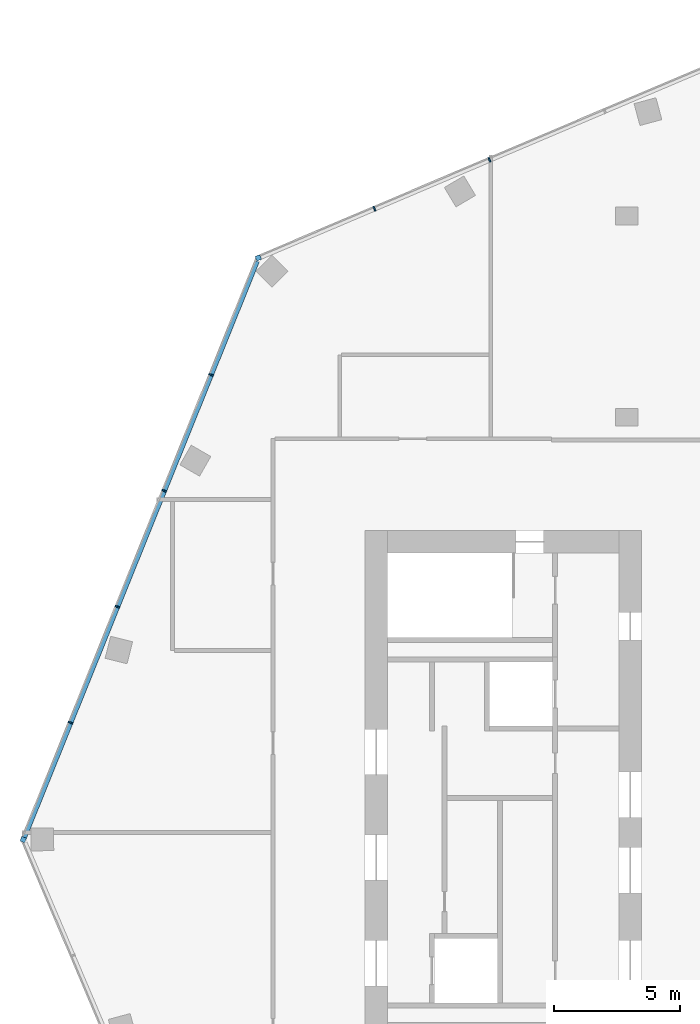
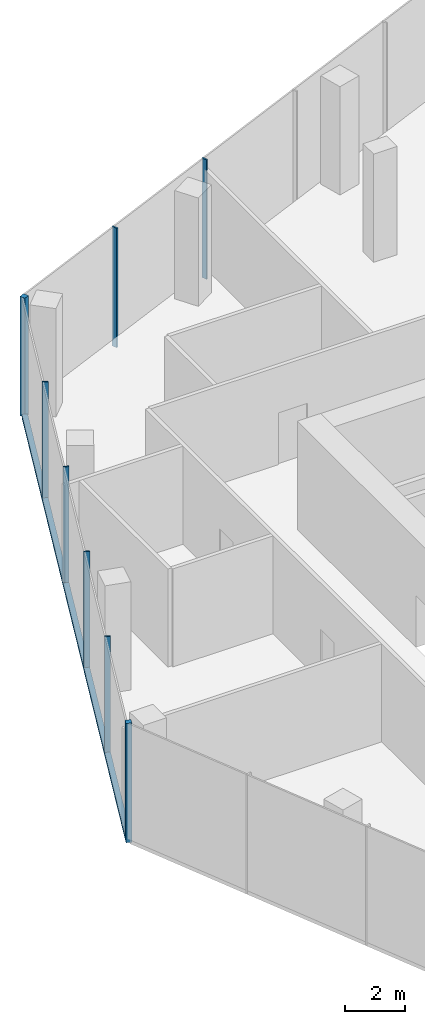
# One storey, part 6 of 15: 9 members, 2 elements without a shape of their own.
"""IFC4 building model written with IfcOpenShell, lengths in metres."""

import ifcopenshell
import ifcopenshell.guid

model = None  # the IFC model being written
_history = None  # IfcOwnerHistory: only IFC2X3 demands one
_inside = {}  # id of a spatial element -> (the spatial element, [elements in it])
_under = {}  # id of a project, library or spatial element -> (it, [spatial elements below it])
_declared = {}  # id of a project -> (the project, [libraries it declares])
_typed = {}  # id of a type object -> (the type object, [elements of that type])
_made_of = {}  # id of a material, layer set ... -> (it, [elements and type objects made of it])


def new_model(schema):
    """Start an empty IFC model of exactly this schema.

    Asked for "IFC4X3", IfcOpenShell would pick the latest addendum, in which some entities
    have other attributes; the version numbers below select the first issue.
    IFC2X3 requires an IfcOwnerHistory on every rooted entity: one is made here for all.
    """
    global model, _history
    if schema == "IFC4X3":
        model = ifcopenshell.file(schema_version=(4, 3, 0, 0))
    else:
        model = ifcopenshell.file(schema=schema)
    _inside.clear()
    _under.clear()
    _declared.clear()
    _typed.clear()
    _made_of.clear()
    _history = None
    if model.schema == "IFC2X3":
        org = make("IfcOrganization", Name="unknown")
        user = make(
            "IfcPersonAndOrganization",
            ThePerson=make("IfcPerson", FamilyName="unknown"),
            TheOrganization=org,
        )
        app = make(
            "IfcApplication",
            ApplicationDeveloper=org,
            Version="unknown",
            ApplicationFullName="unknown",
            ApplicationIdentifier="unknown",
        )
        _history = make(
            "IfcOwnerHistory",
            OwningUser=user,
            OwningApplication=app,
            ChangeAction="ADDED",
            CreationDate=0,
        )
    return model


def make(cls, **values):
    """One entity of the class cls with the attributes given. An attribute that is None is left unset."""
    return model.create_entity(
        cls, **{name: value for name, value in values.items() if value is not None}
    )


def rooted(cls, **values):
    """An entity with a GlobalId (a new one), such as an element, a storey or a relation."""
    return make(cls, GlobalId=ifcopenshell.guid.new(), OwnerHistory=_history, **values)


def si_unit(unit_type, name, prefix=None):
    """IfcSIUnit, for example si_unit("LENGTHUNIT", "METRE", prefix="MILLI")."""
    return make("IfcSIUnit", UnitType=unit_type, Prefix=prefix, Name=name)


def assignment(units):
    """IfcUnitAssignment: the units of a project."""
    return None if units is None else make("IfcUnitAssignment", Units=units)


def point(xyz):
    """IfcCartesianPoint."""
    return None if xyz is None else make("IfcCartesianPoint", Coordinates=xyz)


def direction(xyz):
    """IfcDirection."""
    return None if xyz is None else make("IfcDirection", DirectionRatios=xyz)


def frame(location, z_axis=None, x_axis=None):
    """IfcAxis2Placement3D, a coordinate frame: its origin and axes. An axis left out is left unset."""
    return make(
        "IfcAxis2Placement3D",
        Location=point(location),
        Axis=direction(z_axis),
        RefDirection=direction(x_axis),
    )


def frame_2d(location, x_axis=None):
    """IfcAxis2Placement2D, a coordinate frame in the plane: its origin and x axis."""
    return make(
        "IfcAxis2Placement2D", Location=point(location), RefDirection=direction(x_axis)
    )


def origin():
    """The frame at (0, 0, 0) with its axes left unset."""
    return frame((0.0, 0.0, 0.0))


def origin_2d():
    """The frame at (0, 0) in the plane with its x axis left unset."""
    return frame_2d((0.0, 0.0))


def place(relative_to, where):
    """IfcLocalPlacement: puts the frame where relative to a parent placement (None: the world)."""
    return make(
        "IfcLocalPlacement", PlacementRelTo=relative_to, RelativePlacement=where
    )


def context(
    kind, dimensions, precision=None, world=None, true_north=None, identifier=None
):
    """IfcGeometricRepresentationContext, for example the 3D "Model" context."""
    return make(
        "IfcGeometricRepresentationContext",
        ContextIdentifier=identifier,
        ContextType=kind,
        CoordinateSpaceDimension=dimensions,
        Precision=precision,
        WorldCoordinateSystem=world,
        TrueNorth=true_north,
    )


def subcontext(parent, identifier, kind, view, scale=None):
    """IfcGeometricRepresentationSubContext, for example "Body" below "Model"."""
    return make(
        "IfcGeometricRepresentationSubContext",
        ContextIdentifier=identifier,
        ContextType=kind,
        ParentContext=parent,
        TargetScale=scale,
        TargetView=view,
    )


def project(units=None, contexts=None):
    """IfcProject with its units and contexts."""
    return rooted(
        "IfcProject",
        Name="project",
        RepresentationContexts=contexts,
        UnitsInContext=assignment(units),
    )


def spatial(cls, under=None, at=None, **own):
    """A site, building, storey or space (cls), placed at a placement, below another one or the project."""
    s = rooted(cls, ObjectPlacement=at, **own)
    if under is not None:
        _under.setdefault(under.id(), (under, []))[1].append(s)
    return s


def profile(cls, at=None, kind="AREA", **sizes):
    """A parametric profile (cls). Its sizes go by their IFC names, for example OverallWidth=200.0."""
    return make(cls, ProfileType=kind, Position=at, **sizes)


def rectangle(**sizes):
    """IfcRectangleProfileDef."""
    return profile("IfcRectangleProfileDef", **sizes)


def extrude(swept, where, along, depth):
    """IfcExtrudedAreaSolid: the profile swept, set in the frame where, extruded along a direction by depth."""
    return make(
        "IfcExtrudedAreaSolid",
        SweptArea=swept,
        Position=where,
        ExtrudedDirection=direction(along),
        Depth=depth,
    )


def shape(context_of_items, identifier, shape_type, items):
    """IfcShapeRepresentation: the items that make up one representation, for example the "Body"."""
    return make(
        "IfcShapeRepresentation",
        ContextOfItems=context_of_items,
        RepresentationIdentifier=identifier,
        RepresentationType=shape_type,
        Items=items,
    )


def material(Name=None, Category=None):
    """IfcMaterial."""
    return make("IfcMaterial", Name=Name, Category=Category)


def material_profile(
    of_material, cross_section, Name=None, Category=None, Priority=None
):
    """IfcMaterialProfile: a cross section and its material."""
    return make(
        "IfcMaterialProfile",
        Name=Name,
        Material=of_material,
        Profile=cross_section,
        Priority=Priority,
        Category=Category,
    )


def profile_set(profiles, Name=None, composite=None):
    """IfcMaterialProfileSet."""
    return make(
        "IfcMaterialProfileSet",
        Name=Name,
        MaterialProfiles=profiles,
        CompositeProfile=composite,
    )


def made_of(thing, what):
    """Note that an element or type object is made of a material, layer set ...; save() writes the relation."""
    if what is not None:
        _made_of.setdefault(what.id(), (what, []))[1].append(thing)
    return thing


def type_object(cls, material=None, **own):
    """A type object (cls), such as IfcWallType, which elements share."""
    return made_of(rooted(cls, **own), material)


def element(
    cls,
    number,
    at=None,
    inside=None,
    cuts=None,
    type_object=None,
    material=None,
    context=None,
    identifier="Body",
    shape_type=None,
    held_by="IfcProductDefinitionShape",
    body=None,
    shapes=None,
    **own,
):
    """One element of the class cls, such as IfcWall. Its Tag is "e" and its number.

    at: its placement. inside: the storey or other place that contains it. cuts: it is an
    opening in that element (IfcRelVoidsElement). A single representation is given by context,
    identifier, shape_type and body (its items); several are given by shapes. held_by: the class
    of the entity that holds the representations. save() writes the other relations.
    """
    e = rooted(cls, Tag="e%d" % number, ObjectPlacement=at, **own)
    if body is not None:
        shapes = [shape(context, identifier, shape_type, body)]
    if shapes is not None:
        e.Representation = make(held_by, Representations=shapes)
    if inside is not None:
        _inside.setdefault(inside.id(), (inside, []))[1].append(e)
    if cuts is not None:
        rooted(
            "IfcRelVoidsElement", RelatingBuildingElement=cuts, RelatedOpeningElement=e
        )
    if type_object is not None:
        _typed.setdefault(type_object.id(), (type_object, []))[1].append(e)
    return made_of(e, material)


def aggregate(whole, parts):
    """IfcRelAggregates: a whole, such as a stair, and the parts it consists of."""
    return rooted("IfcRelAggregates", RelatingObject=whole, RelatedObjects=parts)


def save(model, path):
    """Write the relations noted so far, then the file.

    IfcRelAggregates (storeys below a building ...), IfcRelContainedInSpatialStructure (elements
    in a storey), IfcRelDefinesByType, IfcRelAssociatesMaterial and IfcRelDeclares: one each for
    every whole, place, type object, material and project.
    """
    for whole, parts in _under.values():
        aggregate(whole, parts)
    for where, things in _inside.values():
        rooted(
            "IfcRelContainedInSpatialStructure",
            RelatedElements=things,
            RelatingStructure=where,
        )
    for kind, things in _typed.values():
        rooted("IfcRelDefinesByType", RelatedObjects=things, RelatingType=kind)
    for what, things in _made_of.values():
        rooted("IfcRelAssociatesMaterial", RelatedObjects=things, RelatingMaterial=what)
    for by, libraries in _declared.values():
        rooted("IfcRelDeclares", RelatingContext=by, RelatedDefinitions=libraries)
    model.write(path)


model = new_model("IFC4")

# Units and contexts
model_context = context("Model", 3, precision=1e-05, world=origin(), true_north=direction((0.0, 1.0)))
body_context = subcontext(model_context, "Body", "Model", "MODEL_VIEW")
ifc_project = project(units=[si_unit("LENGTHUNIT", "METRE"), si_unit("AREAUNIT", "SQUARE_METRE"), si_unit("VOLUMEUNIT", "CUBIC_METRE"), si_unit("PLANEANGLEUNIT", "RADIAN"), si_unit("MASSUNIT", "GRAM", prefix="KILO")], contexts=[model_context])

# Site, building, storey
site_placement = place(None, origin())
site = spatial("IfcSite", under=ifc_project, at=site_placement, CompositionType="ELEMENT")
building_placement = place(site_placement, origin())
building = spatial("IfcBuilding", under=site, at=building_placement, Name="Orlundy Tower", CompositionType="ELEMENT")
storey_placement = place(building_placement, frame((0.0, 0.0, 299.89990234375)))
storey = spatial("IfcBuildingStorey", under=building, at=storey_placement, Name="L80", CompositionType="ELEMENT", Elevation=299.89990234375)

# Curtain wall, member
ifc_material_1 = material(Name="Aluminium bronze anodised", Category="aluminium")
curtain_wall_type = type_object("IfcCurtainWallType", Name="CW4 wall", PredefinedType="NOTDEFINED", material=ifc_material_1)
curtain_wall_1_placement = place(storey_placement, origin())
curtain_wall_1 = element("IfcCurtainWall", 1, at=curtain_wall_1_placement, inside=storey, type_object=curtain_wall_type, Name="CW4 run 05", PredefinedType="NOTDEFINED")
ifc_material_2 = material(Name="Aluminium bronze anodised", Category="aluminium")
ifc_material_profile_1 = material_profile(ifc_material_2, rectangle(XDim=0.199951171875, YDim=0.199951171875, at=origin_2d()), Name="CW4 corner post 200x200")
ifc_profile_set_1 = profile_set([ifc_material_profile_1], Name="Aluminium bronze anodised")
member_type_1 = type_object("IfcMemberType", Name="CW4 corner post 200x200", PredefinedType="MULLION", material=ifc_profile_set_1)
member_1_placement = place(storey_placement, frame((-32.579345703125, -0.283935546875, -0.449951171875), z_axis=(0.0, 0.0, 1.0), x_axis=(-0.927183523653, 0.374607412456, 0.0)))
member_1 = element("IfcMember", 2, at=member_1_placement, type_object=member_type_1, Name="CW4 mullion 26", PredefinedType="MULLION", context=body_context, shape_type="SweptSolid", body=[
    extrude(rectangle(XDim=0.199951171875, YDim=0.199951171875, at=origin_2d()), origin(), (0.0, 0.0, 1.0), 4.85009765625),
])

curtain_wall_2_placement = place(storey_placement, origin())
curtain_wall_2 = element("IfcCurtainWall", 3, at=curtain_wall_2_placement, inside=storey, type_object=curtain_wall_type, Name="CW4 run 06", PredefinedType="NOTDEFINED")
member_2_placement = place(storey_placement, frame((-23.23828125, 22.8359375, -0.449951171875), z_axis=(0.0, 0.0, 1.0), x_axis=(-0.390726531244, 0.920506804854, 0.0)))
member_2 = element("IfcMember", 4, at=member_2_placement, type_object=member_type_1, Name="CW4 mullion 31", PredefinedType="MULLION", context=body_context, shape_type="SweptSolid", body=[
    extrude(rectangle(XDim=0.199951171875, YDim=0.199951171875, at=origin_2d()), origin(), (0.0, 0.0, 1.0), 4.85009765625),
])

# Member
ifc_material_3 = material(Name="Aluminium bronze anodised", Category="aluminium")
ifc_material_profile_2 = material_profile(ifc_material_3, rectangle(XDim=0.199951171875, YDim=0.06005859375, at=origin_2d()), Name="CW4 mullion 60x200")
ifc_profile_set_2 = profile_set([ifc_material_profile_2], Name="Aluminium bronze anodised")
member_type_2 = type_object("IfcMemberType", Name="CW4 mullion 60x200", PredefinedType="MULLION", material=ifc_profile_set_2)
member_3_placement = place(storey_placement, frame((-30.70166015625, 4.363037109375, -0.449951171875), z_axis=(0.0, 0.0, 1.0), x_axis=(-0.927183523653, 0.374607412456, 0.0)))
member_3 = element("IfcMember", 5, at=member_3_placement, type_object=member_type_2, Name="CW4 mullion 27", PredefinedType="MULLION", context=body_context, shape_type="SweptSolid", body=[
    extrude(rectangle(XDim=0.199951171875, YDim=0.06005859375, at=origin_2d()), origin(), (0.0, 0.0, 1.0), 4.85009765625),
])

member_4_placement = place(storey_placement, frame((-28.839599609375, 8.9716796875, -0.449951171875), z_axis=(0.0, 0.0, 1.0), x_axis=(-0.927183523653, 0.374607412456, 0.0)))
member_4 = element("IfcMember", 6, at=member_4_placement, type_object=member_type_2, Name="CW4 mullion 28", PredefinedType="MULLION", context=body_context, shape_type="SweptSolid", body=[
    extrude(rectangle(XDim=0.199951171875, YDim=0.06005859375, at=origin_2d()), origin(), (0.0, 0.0, 1.0), 4.85009765625),
])

member_5_placement = place(storey_placement, frame((-26.977783203125, 13.580322265625, -0.449951171875), z_axis=(0.0, 0.0, 1.0), x_axis=(-0.927183523653, 0.374607412456, 0.0)))
member_5 = element("IfcMember", 7, at=member_5_placement, type_object=member_type_2, Name="CW4 mullion 29", PredefinedType="MULLION", context=body_context, shape_type="SweptSolid", body=[
    extrude(rectangle(XDim=0.199951171875, YDim=0.06005859375, at=origin_2d()), origin(), (0.0, 0.0, 1.0), 4.85009765625),
])

member_6_placement = place(storey_placement, frame((-25.11572265625, 18.18896484375, -0.449951171875), z_axis=(0.0, 0.0, 1.0), x_axis=(-0.927183523653, 0.374607412456, 0.0)))
member_6 = element("IfcMember", 8, at=member_6_placement, type_object=member_type_2, Name="CW4 mullion 30", PredefinedType="MULLION", context=body_context, shape_type="SweptSolid", body=[
    extrude(rectangle(XDim=0.199951171875, YDim=0.06005859375, at=origin_2d()), origin(), (0.0, 0.0, 1.0), 4.85009765625),
])

member_7_placement = place(storey_placement, frame((-18.62451171875, 24.794189453125, -0.449951171875), z_axis=(0.0, 0.0, 1.0), x_axis=(-0.390726531244, 0.920506804854, 0.0)))
member_7 = element("IfcMember", 9, at=member_7_placement, type_object=member_type_2, Name="CW4 mullion 32", PredefinedType="MULLION", context=body_context, shape_type="SweptSolid", body=[
    extrude(rectangle(XDim=0.199951171875, YDim=0.06005859375, at=origin_2d()), origin(), (0.0, 0.0, 1.0), 4.85009765625),
])

member_8_placement = place(storey_placement, frame((-14.048828125, 26.736572265625, -0.449951171875), z_axis=(0.0, 0.0, 1.0), x_axis=(-0.390726531244, 0.920506804854, 0.0)))
member_8 = element("IfcMember", 10, at=member_8_placement, type_object=member_type_2, Name="CW4 mullion 33", PredefinedType="MULLION", context=body_context, shape_type="SweptSolid", body=[
    extrude(rectangle(XDim=0.199951171875, YDim=0.06005859375, at=origin_2d()), origin(), (0.0, 0.0, 1.0), 4.85009765625),
])

aggregate(curtain_wall_2, [member_2, member_7, member_8])

ifc_material_4 = material(Name="Aluminium bronze anodised", Category="aluminium")
ifc_material_profile_3 = material_profile(ifc_material_4, rectangle(XDim=0.199951171875, YDim=0.14990234375, at=origin_2d()), Name="CW4 transom 200x150")
ifc_profile_set_3 = profile_set([ifc_material_profile_3], Name="Aluminium bronze anodised")
member_type_3 = type_object("IfcMemberType", Name="CW4 transom 200x150", PredefinedType="USERDEFINED", material=ifc_profile_set_3)
member_9_placement = place(storey_placement, frame((-32.541748046875, -0.191162109375, -0.375), z_axis=(0.374603299873, 0.927185185238, 0.0), x_axis=(-0.927185185238, 0.374603299873, 0.0)))
member_9 = element("IfcMember", 11, at=member_9_placement, type_object=member_type_3, Name="CW4 transom", ObjectType="TRANSOM", PredefinedType="USERDEFINED", context=body_context, shape_type="SweptSolid", body=[
    extrude(rectangle(XDim=0.199951171875, YDim=0.14990234375, at=origin_2d()), origin(), (0.0, 0.0, 1.0), 24.694091796875),
])

aggregate(curtain_wall_1, [member_1, member_3, member_4, member_5, member_6, member_9])

save(model, "model.ifc")
